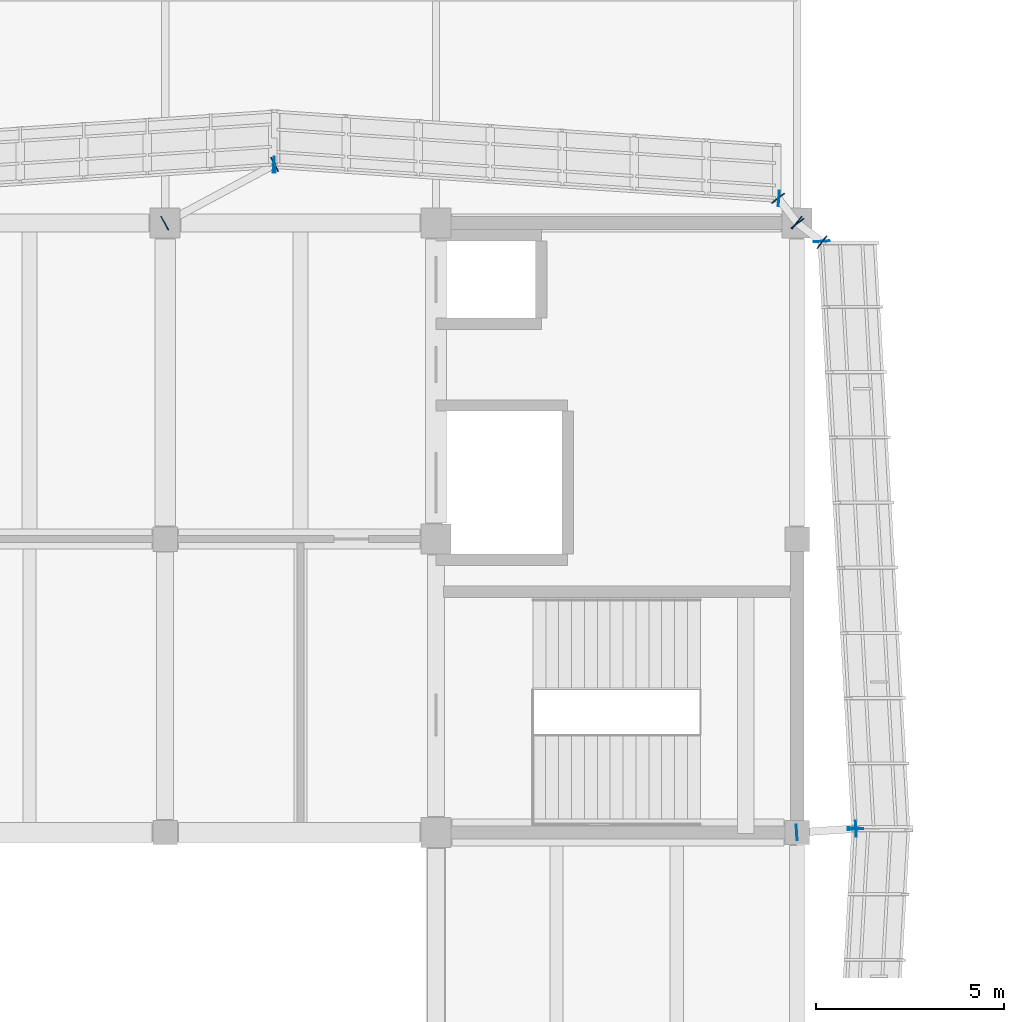
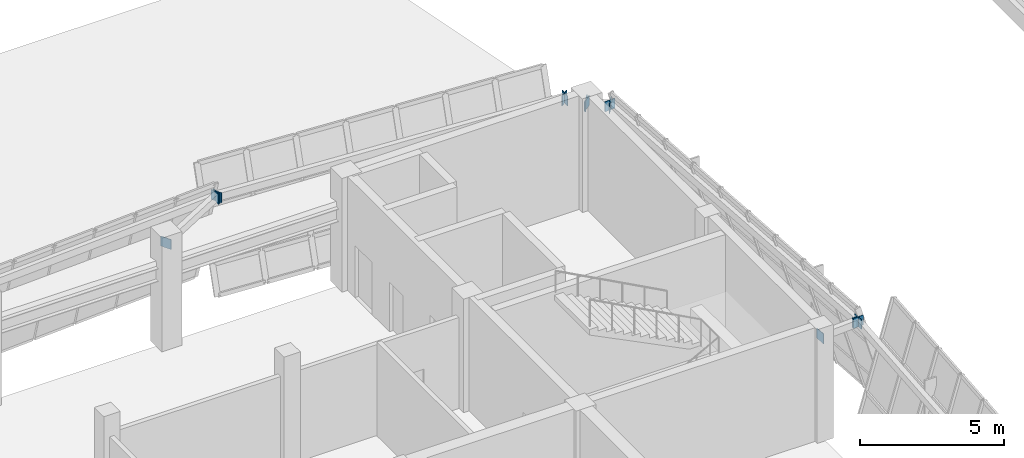
# One storey, part 64 of 79: 14 plates.
"""IFC4 building model written with IfcOpenShell, lengths in metres."""

from ifc_helpers import new_model, si_unit, direction, frame, origin, origin_2d, place, context, subcontext, project, spatial, rectangle, extrude, material, layer, layer_set, type_object, element, save


model = new_model("IFC4")

# Units and contexts
model_context = context("Model", 3, precision=1e-05, world=origin(), true_north=direction((0.0, 1.0)))
body_context = subcontext(model_context, "Body", "Model", "MODEL_VIEW")
ifc_project = project(units=[si_unit("LENGTHUNIT", "METRE"), si_unit("AREAUNIT", "SQUARE_METRE"), si_unit("VOLUMEUNIT", "CUBIC_METRE"), si_unit("PLANEANGLEUNIT", "RADIAN"), si_unit("MASSUNIT", "GRAM", prefix="KILO")], contexts=[model_context])

# Site, building, storey
site_placement = place(None, origin())
site = spatial("IfcSite", under=ifc_project, at=site_placement, CompositionType="ELEMENT")
building_placement = place(site_placement, origin())
building = spatial("IfcBuilding", under=site, at=building_placement, Name="Pellamere Symphony Hall", CompositionType="ELEMENT")
storey_placement = place(building_placement, frame((0.0, 0.0, 10.199951171875)))
storey = spatial("IfcBuildingStorey", under=building, at=storey_placement, Name="L02", CompositionType="ELEMENT", Elevation=10.199951171875)

# Plates
ifc_material = material(Name="Steel CSA G40.21 350W", Category="steel")
ifc_layer = layer(ifc_material, 0.02490234375, Name="Steel CSA G40.21 350W")
ifc_layer_set = layer_set([ifc_layer], Name="Steel CSA G40.21 350W")
plate_type = type_object("IfcPlateType", Name="Steel Connection Plate KP-01 420x420x25", PredefinedType="SHEET", material=ifc_layer_set)
for number, where, z_axis, x_axis, name in (
    (1, (120.3505859375, 77.511962890625, 4.030029296875), (0.0, 0.0, 1.0), (0.057215536424, 0.998361849427, 0.0), "Crystal Spandrel End Cap Plate CW-CR08-2 (L02)"),
    (2, (118.7880859375, 77.399169921875, 4.030029296875), (0.0, 0.0, 1.0), (0.997926866086, 0.064358138139, 0.0), "Outrigger End Cap Plate 033.1 (L02)"),
    (3, (120.362060546875, 77.500732421875, 4.030029296875), (0.0, 0.0, 1.0), (0.997926866086, 0.064358138139, 0.0), "Outrigger End Cap Plate 033.2 (L02)"),
    (4, (120.3505859375, 77.488037109375, 4.030029296875), (0.0, 0.0, 1.0), (-0.05756402696, 0.998341816614, 0.0), "Crystal Spandrel End Cap Plate CW-CR09-1 (L02)"),
    (5, (119.44921875, 93.112060546875, 4.030029296875), (0.0, 0.0, 1.0), (-0.05756402696, 0.998341816614, 0.0), "Crystal Spandrel End Cap Plate CW-CR09-2 (L02)"),
    (6, (118.79052734375, 93.607421875, 4.030029296875), (0.0, 0.0, 1.0), (0.792609005996, -0.609730238396, 0.0), "Outrigger End Cap Plate 043.1 (L02)"),
    (7, (119.45947265625, 93.0927734375, 4.030029296875), (0.0, 0.0, 1.0), (0.792609005996, -0.609730238396, 0.0), "Outrigger End Cap Plate 043.2 (L02)"),
    (8, (118.31201171875, 94.249267578125, 4.030029296875), (0.0, 0.0, 1.0), (-0.997754957227, 0.066970481029, 0.0), "Crystal Spandrel End Cap Plate CW-CR10-1 (L02)"),
    (9, (104.887939453125, 95.15087890625, 4.030029296875), (0.0, 0.0, 1.0), (-0.997754957227, 0.066970481029, 0.0), "Crystal Spandrel End Cap Plate CW-CR10-2 (L02)"),
    (10, (118.807373046875, 93.590576171875, 4.030029296875), (0.0, 0.0, 1.0), (-0.609730238396, 0.792609005996, 0.0), "Outrigger End Cap Plate 049.1 (L02)"),
    (11, (118.292724609375, 94.259521484375, 4.030029296875), (0.0, 0.0, 1.0), (-0.609730238396, 0.792609005996, 0.0), "Outrigger End Cap Plate 049.2 (L02)"),
    (12, (101.989501953125, 93.59423828125, 4.030029296875), (0.0, 0.0, 1.0), (0.881962398116, 0.471319772882, 0.0), "Outrigger End Cap Plate 050.1 (L02)"),
    (13, (104.91064453125, 95.15576171875, 4.030029296875), (0.0, 0.0, 1.0), (0.881962398116, 0.471319772882, 0.0), "Outrigger End Cap Plate 050.2 (L02)"),
    (14, (104.912109375, 95.15087890625, 4.030029296875), (0.0, 0.0, 1.0), (-0.997789886117, -0.066448048599, 0.0), "Crystal Spandrel End Cap Plate CW-CR11-1 (L02)"),
):
    element("IfcPlate", number, at=place(storey_placement, frame(where, z_axis=z_axis, x_axis=x_axis)), inside=storey, type_object=plate_type, Name=name, PredefinedType="SHEET", context=body_context, shape_type="SweptSolid", body=[
        extrude(rectangle(XDim=0.02490234375, YDim=0.419921875, at=origin_2d()), origin(), (0.0, 0.0, 1.0), 0.419921875),
    ])

save(model, "model.ifc")
